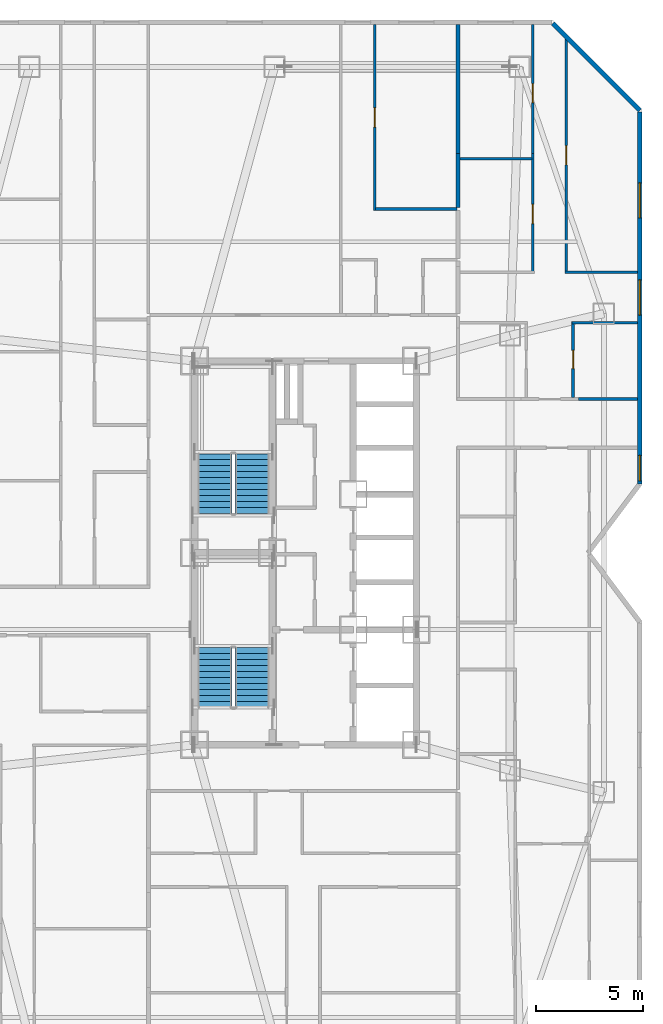
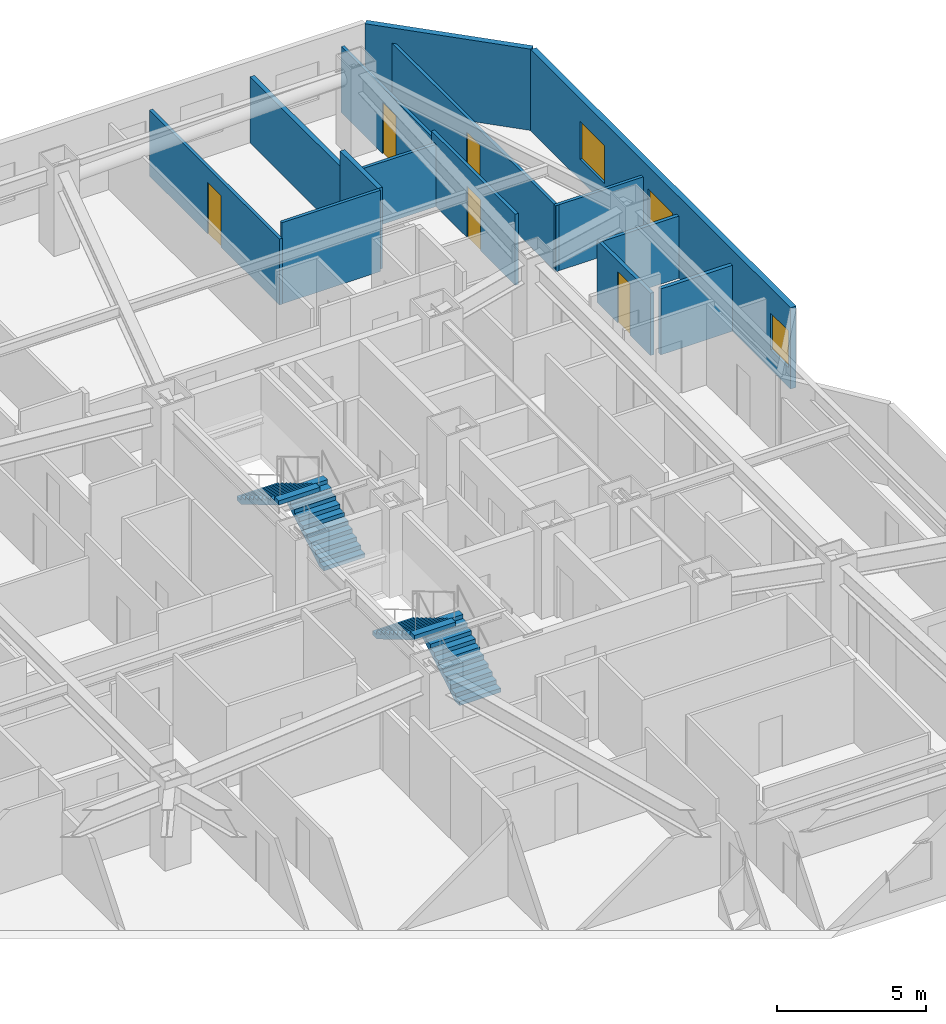
# One storey, part 17 of 18: 14 walls, 5 doors, 4 stair flights, 3 windows, 8 openings, 2 elements without a shape of their own.
"""IFC4 building model written with IfcOpenShell, lengths in metres."""

import ifcopenshell
import ifcopenshell.guid

model = None  # the IFC model being written
_history = None  # IfcOwnerHistory: only IFC2X3 demands one
_inside = {}  # id of a spatial element -> (the spatial element, [elements in it])
_under = {}  # id of a project, library or spatial element -> (it, [spatial elements below it])
_declared = {}  # id of a project -> (the project, [libraries it declares])
_typed = {}  # id of a type object -> (the type object, [elements of that type])
_made_of = {}  # id of a material, layer set ... -> (it, [elements and type objects made of it])


def new_model(schema):
    """Start an empty IFC model of exactly this schema.

    Asked for "IFC4X3", IfcOpenShell would pick the latest addendum, in which some entities
    have other attributes; the version numbers below select the first issue.
    IFC2X3 requires an IfcOwnerHistory on every rooted entity: one is made here for all.
    """
    global model, _history
    if schema == "IFC4X3":
        model = ifcopenshell.file(schema_version=(4, 3, 0, 0))
    else:
        model = ifcopenshell.file(schema=schema)
    _inside.clear()
    _under.clear()
    _declared.clear()
    _typed.clear()
    _made_of.clear()
    _history = None
    if model.schema == "IFC2X3":
        org = make("IfcOrganization", Name="unknown")
        user = make(
            "IfcPersonAndOrganization",
            ThePerson=make("IfcPerson", FamilyName="unknown"),
            TheOrganization=org,
        )
        app = make(
            "IfcApplication",
            ApplicationDeveloper=org,
            Version="unknown",
            ApplicationFullName="unknown",
            ApplicationIdentifier="unknown",
        )
        _history = make(
            "IfcOwnerHistory",
            OwningUser=user,
            OwningApplication=app,
            ChangeAction="ADDED",
            CreationDate=0,
        )
    return model


def make(cls, **values):
    """One entity of the class cls with the attributes given. An attribute that is None is left unset."""
    return model.create_entity(
        cls, **{name: value for name, value in values.items() if value is not None}
    )


def rooted(cls, **values):
    """An entity with a GlobalId (a new one), such as an element, a storey or a relation."""
    return make(cls, GlobalId=ifcopenshell.guid.new(), OwnerHistory=_history, **values)


def si_unit(unit_type, name, prefix=None):
    """IfcSIUnit, for example si_unit("LENGTHUNIT", "METRE", prefix="MILLI")."""
    return make("IfcSIUnit", UnitType=unit_type, Prefix=prefix, Name=name)


def assignment(units):
    """IfcUnitAssignment: the units of a project."""
    return None if units is None else make("IfcUnitAssignment", Units=units)


def point(xyz):
    """IfcCartesianPoint."""
    return None if xyz is None else make("IfcCartesianPoint", Coordinates=xyz)


def direction(xyz):
    """IfcDirection."""
    return None if xyz is None else make("IfcDirection", DirectionRatios=xyz)


def frame(location, z_axis=None, x_axis=None):
    """IfcAxis2Placement3D, a coordinate frame: its origin and axes. An axis left out is left unset."""
    return make(
        "IfcAxis2Placement3D",
        Location=point(location),
        Axis=direction(z_axis),
        RefDirection=direction(x_axis),
    )


def frame_2d(location, x_axis=None):
    """IfcAxis2Placement2D, a coordinate frame in the plane: its origin and x axis."""
    return make(
        "IfcAxis2Placement2D", Location=point(location), RefDirection=direction(x_axis)
    )


def origin():
    """The frame at (0, 0, 0) with its axes left unset."""
    return frame((0.0, 0.0, 0.0))


def place(relative_to, where):
    """IfcLocalPlacement: puts the frame where relative to a parent placement (None: the world)."""
    return make(
        "IfcLocalPlacement", PlacementRelTo=relative_to, RelativePlacement=where
    )


def context(
    kind, dimensions, precision=None, world=None, true_north=None, identifier=None
):
    """IfcGeometricRepresentationContext, for example the 3D "Model" context."""
    return make(
        "IfcGeometricRepresentationContext",
        ContextIdentifier=identifier,
        ContextType=kind,
        CoordinateSpaceDimension=dimensions,
        Precision=precision,
        WorldCoordinateSystem=world,
        TrueNorth=true_north,
    )


def subcontext(parent, identifier, kind, view, scale=None):
    """IfcGeometricRepresentationSubContext, for example "Body" below "Model"."""
    return make(
        "IfcGeometricRepresentationSubContext",
        ContextIdentifier=identifier,
        ContextType=kind,
        ParentContext=parent,
        TargetScale=scale,
        TargetView=view,
    )


def project(units=None, contexts=None):
    """IfcProject with its units and contexts."""
    return rooted(
        "IfcProject",
        Name="project",
        RepresentationContexts=contexts,
        UnitsInContext=assignment(units),
    )


def spatial(cls, under=None, at=None, **own):
    """A site, building, storey or space (cls), placed at a placement, below another one or the project."""
    s = rooted(cls, ObjectPlacement=at, **own)
    if under is not None:
        _under.setdefault(under.id(), (under, []))[1].append(s)
    return s


def polyline(points):
    """IfcPolyline through the points."""
    return make("IfcPolyline", Points=[point(p) for p in points])


def profile(cls, at=None, kind="AREA", **sizes):
    """A parametric profile (cls). Its sizes go by their IFC names, for example OverallWidth=200.0."""
    return make(cls, ProfileType=kind, Position=at, **sizes)


def rectangle(**sizes):
    """IfcRectangleProfileDef."""
    return profile("IfcRectangleProfileDef", **sizes)


def outline(outer, holes=None, kind="AREA"):
    """IfcArbitraryClosedProfileDef: a profile drawn as a closed curve; with holes, ...WithVoids."""
    if holes is None:
        return make("IfcArbitraryClosedProfileDef", ProfileType=kind, OuterCurve=outer)
    return make(
        "IfcArbitraryProfileDefWithVoids",
        ProfileType=kind,
        OuterCurve=outer,
        InnerCurves=holes,
    )


def extrude(swept, where, along, depth):
    """IfcExtrudedAreaSolid: the profile swept, set in the frame where, extruded along a direction by depth."""
    return make(
        "IfcExtrudedAreaSolid",
        SweptArea=swept,
        Position=where,
        ExtrudedDirection=direction(along),
        Depth=depth,
    )


def shape(context_of_items, identifier, shape_type, items):
    """IfcShapeRepresentation: the items that make up one representation, for example the "Body"."""
    return make(
        "IfcShapeRepresentation",
        ContextOfItems=context_of_items,
        RepresentationIdentifier=identifier,
        RepresentationType=shape_type,
        Items=items,
    )


def material(Name=None, Category=None):
    """IfcMaterial."""
    return make("IfcMaterial", Name=Name, Category=Category)


def layer(
    of_material, thickness, ventilated=None, Name=None, Category=None, Priority=None
):
    """IfcMaterialLayer: one layer of a wall or slab, of a material (None: an air gap)."""
    return make(
        "IfcMaterialLayer",
        Material=of_material,
        LayerThickness=thickness,
        IsVentilated=ventilated,
        Name=Name,
        Category=Category,
        Priority=Priority,
    )


def layer_set(layers, Name=None):
    """IfcMaterialLayerSet."""
    return make("IfcMaterialLayerSet", MaterialLayers=layers, LayerSetName=Name)


def made_of(thing, what):
    """Note that an element or type object is made of a material, layer set ...; save() writes the relation."""
    if what is not None:
        _made_of.setdefault(what.id(), (what, []))[1].append(thing)
    return thing


def type_object(cls, material=None, **own):
    """A type object (cls), such as IfcWallType, which elements share."""
    return made_of(rooted(cls, **own), material)


def element(
    cls,
    number,
    at=None,
    inside=None,
    cuts=None,
    type_object=None,
    material=None,
    context=None,
    identifier="Body",
    shape_type=None,
    held_by="IfcProductDefinitionShape",
    body=None,
    shapes=None,
    **own,
):
    """One element of the class cls, such as IfcWall. Its Tag is "e" and its number.

    at: its placement. inside: the storey or other place that contains it. cuts: it is an
    opening in that element (IfcRelVoidsElement). A single representation is given by context,
    identifier, shape_type and body (its items); several are given by shapes. held_by: the class
    of the entity that holds the representations. save() writes the other relations.
    """
    e = rooted(cls, Tag="e%d" % number, ObjectPlacement=at, **own)
    if body is not None:
        shapes = [shape(context, identifier, shape_type, body)]
    if shapes is not None:
        e.Representation = make(held_by, Representations=shapes)
    if inside is not None:
        _inside.setdefault(inside.id(), (inside, []))[1].append(e)
    if cuts is not None:
        rooted(
            "IfcRelVoidsElement", RelatingBuildingElement=cuts, RelatedOpeningElement=e
        )
    if type_object is not None:
        _typed.setdefault(type_object.id(), (type_object, []))[1].append(e)
    return made_of(e, material)


def fill(opening, filler):
    """IfcRelFillsElement: the door or window that sits in an opening."""
    return rooted(
        "IfcRelFillsElement",
        RelatingOpeningElement=opening,
        RelatedBuildingElement=filler,
    )


def aggregate(whole, parts):
    """IfcRelAggregates: a whole, such as a stair, and the parts it consists of."""
    return rooted("IfcRelAggregates", RelatingObject=whole, RelatedObjects=parts)


def save(model, path):
    """Write the relations noted so far, then the file.

    IfcRelAggregates (storeys below a building ...), IfcRelContainedInSpatialStructure (elements
    in a storey), IfcRelDefinesByType, IfcRelAssociatesMaterial and IfcRelDeclares: one each for
    every whole, place, type object, material and project.
    """
    for whole, parts in _under.values():
        aggregate(whole, parts)
    for where, things in _inside.values():
        rooted(
            "IfcRelContainedInSpatialStructure",
            RelatedElements=things,
            RelatingStructure=where,
        )
    for kind, things in _typed.values():
        rooted("IfcRelDefinesByType", RelatedObjects=things, RelatingType=kind)
    for what, things in _made_of.values():
        rooted("IfcRelAssociatesMaterial", RelatedObjects=things, RelatingMaterial=what)
    for by, libraries in _declared.values():
        rooted("IfcRelDeclares", RelatingContext=by, RelatedDefinitions=libraries)
    model.write(path)


model = new_model("IFC4")

# Units and contexts
model_context = context("Model", 3, precision=1e-05, world=origin(), true_north=direction((0.0, 1.0)))
body_context = subcontext(model_context, "Body", "Model", "MODEL_VIEW")
ifc_project = project(units=[si_unit("LENGTHUNIT", "METRE"), si_unit("AREAUNIT", "SQUARE_METRE"), si_unit("VOLUMEUNIT", "CUBIC_METRE"), si_unit("PLANEANGLEUNIT", "RADIAN"), si_unit("MASSUNIT", "GRAM", prefix="KILO")], contexts=[model_context])

# Site, building, storey
site_placement = place(None, origin())
site = spatial("IfcSite", under=ifc_project, at=site_placement, CompositionType="ELEMENT")
building_placement = place(site_placement, origin())
building = spatial("IfcBuilding", under=site, at=building_placement, Name="Khamvora Tower", CompositionType="ELEMENT")
storey_placement = place(building_placement, frame((0.0, 0.0, 80.75)))
storey = spatial("IfcBuildingStorey", under=building, at=storey_placement, Name="L20", CompositionType="ELEMENT", Elevation=80.75)

# Walls
ifc_material_1 = material(Name="Fire-Rated Drywall and Steel Stud", Category="steel")
ifc_layer_1 = layer(ifc_material_1, 0.14990234375)
ifc_layer_set_1 = layer_set([ifc_layer_1], Name="Fire-Rated Drywall and Steel Stud")
wall_type_1 = type_object("IfcWallType", Name="WAL-CORR-150", PredefinedType="STANDARD", material=ifc_layer_set_1)
wall_1_placement = place(storey_placement, frame((47.009033203125, 35.215087890625, 0.0), z_axis=(0.0, 0.0, 1.0), x_axis=(1.0, 0.0, 0.0)))
element("IfcWall", 1, at=wall_1_placement, inside=storey, type_object=wall_type_1, Name="L20 interior partition wall 044", PredefinedType="STANDARD", context=body_context, shape_type="SweptSolid", body=[
    extrude(rectangle(XDim=2.779052734375, YDim=0.14990234375, at=frame_2d((1.3896484375, 0.0))), origin(), (0.0, 0.0, 1.0), 2.702880859375),
])
ifc_material_2 = material(Name="Acoustic Double-Stud Fire Wall", Category="gypsum")
ifc_layer_2 = layer(ifc_material_2, 0.179931640625)
ifc_layer_set_2 = layer_set([ifc_layer_2], Name="Acoustic Double-Stud Fire Wall")
wall_type_2 = type_object("IfcWallType", Name="WAL-CORR-180", PredefinedType="STANDARD", material=ifc_layer_set_2)
wall_2_placement = place(storey_placement, frame((41.364990234375, 46.737060546875, 0.0), z_axis=(0.0, 0.0, 1.0), x_axis=(0.0, -1.0, 0.0)))
element("IfcWall", 2, at=wall_2_placement, inside=storey, type_object=wall_type_2, Name="L20 interior partition wall 144", PredefinedType="STANDARD", context=body_context, shape_type="SweptSolid", body=[
    extrude(rectangle(XDim=2.5380859375, YDim=0.179931640625, at=frame_2d((1.26904296875, 0.0))), origin(), (0.0, 0.0, 1.0), 3.330078125),
])
wall_3_placement = place(storey_placement, frame((41.364990234375, 52.7880859375, 0.0), z_axis=(0.0, 0.0, 1.0), x_axis=(0.0, -1.0, 0.0)))
element("IfcWall", 3, at=wall_3_placement, inside=storey, type_object=wall_type_2, Name="L20 interior partition wall 145", PredefinedType="STANDARD", context=body_context, shape_type="SweptSolid", body=[
    extrude(rectangle(XDim=6.051025390625, YDim=0.179931640625, at=frame_2d((3.025390625, 0.0))), origin(), (0.0, 0.0, 1.0), 2.702880859375),
])
ifc_material_3 = material(Name="Precast concrete C40/50", Category="concrete")
ifc_layer_3 = layer(ifc_material_3, 0.219970703125)
ifc_layer_set_3 = layer_set([ifc_layer_3], Name="Precast concrete C40/50")
wall_type_3 = type_object("IfcWallType", Name="WAL-EXT-220", PredefinedType="STANDARD", material=ifc_layer_set_3)
wall_4_placement = place(storey_placement, frame((45.802001953125, 52.842041015625, 0.0), z_axis=(0.0, 0.0, 1.0), x_axis=(0.707085666273, -0.70712789547, 0.0)))
element("IfcWall", 4, at=wall_4_placement, inside=storey, type_object=wall_type_3, Name="L20 exterior facade wall 08.1", PredefinedType="STANDARD", context=body_context, shape_type="SweptSolid", body=[
    extrude(rectangle(XDim=5.78125, YDim=0.219970703125, at=frame_2d((2.890625, 0.0))), origin(), (0.0, 0.0, 1.0), 3.330078125),
])

# Wall, openings, windows
wall_5_placement = place(storey_placement, frame((49.889892578125, 48.68310546875, 0.0), z_axis=(0.0, 0.0, 1.0), x_axis=(0.0, -1.0, 0.0)))
wall_5 = element("IfcWall", 5, at=wall_5_placement, inside=storey, type_object=wall_type_3, Name="L20 exterior facade wall 09.1", PredefinedType="STANDARD", context=body_context, shape_type="SweptSolid", body=[
    extrude(rectangle(XDim=17.446044921875, YDim=0.219970703125, at=frame_2d((8.72314453125, 0.0))), origin(), (0.0, 0.0, 1.0), 3.330078125),
])
opening_1_placement = place(wall_5_placement, frame((16.10498046875, 0.0, 0.800048828125)))
opening_1 = element("IfcOpeningElement", 6, at=opening_1_placement, cuts=wall_5, Name="Opening WN-03", PredefinedType="OPENING", context=body_context, shape_type="SweptSolid", body=[
    extrude(rectangle(XDim=1.199951171875, YDim=1.5, at=frame_2d((0.60009765625, 0.75))), frame((0.0, 0.119873046875, 0.0), z_axis=(0.0, -1.0, 0.0), x_axis=(1.0, 0.0, 0.0)), (0.0, 0.0, 1.0), 0.239990234375),
])
opening_2_placement = place(wall_5_placement, frame((7.873046875, 0.0, 0.85009765625)))
opening_2 = element("IfcOpeningElement", 7, at=opening_2_placement, cuts=wall_5, Name="Opening WN-06", PredefinedType="OPENING", context=body_context, shape_type="SweptSolid", body=[
    extrude(rectangle(XDim=1.64990234375, YDim=1.550048828125, at=frame_2d((0.824951171875, 0.77490234375))), frame((0.0, 0.119873046875, 0.0), z_axis=(0.0, -1.0, 0.0), x_axis=(1.0, 0.0, 0.0)), (0.0, 0.0, 1.0), 0.239990234375),
])
opening_3_placement = place(wall_5_placement, frame((3.321044921875, 0.0, 0.85009765625)))
opening_3 = element("IfcOpeningElement", 8, at=opening_3_placement, cuts=wall_5, Name="Opening WN-06", PredefinedType="OPENING", context=body_context, shape_type="SweptSolid", body=[
    extrude(rectangle(XDim=1.64990234375, YDim=1.550048828125, at=frame_2d((0.824951171875, 0.77490234375))), frame((0.0, 0.119873046875, 0.0), z_axis=(0.0, -1.0, 0.0), x_axis=(1.0, 0.0, 0.0)), (0.0, 0.0, 1.0), 0.239990234375),
])
ifc_material_4 = material(Name="Low-E Laminated Double Glazing", Category="glass")
window_type_1 = type_object("IfcWindowType", Name="WIN-VIS-1200x1500", PartitioningType="SINGLE_PANEL", PredefinedType="WINDOW", material=ifc_material_4)
window_1_placement = place(opening_1_placement, origin())
window_1 = element("IfcWindow", 9, at=window_1_placement, inside=storey, type_object=window_type_1, Name="L20 vision window 09.1.01", OverallHeight=1.5, OverallWidth=1.199951171875, PartitioningType="SINGLE_PANEL", PredefinedType="WINDOW", context=body_context, shape_type="SweptSolid", body=[
    extrude(rectangle(XDim=1.199951171875, YDim=1.5, at=frame_2d((0.60009765625, 0.75))), frame((0.0, 0.030029296875, 0.0), z_axis=(0.0, -1.0, 0.0), x_axis=(1.0, 0.0, 0.0)), (0.0, 0.0, 1.0), 0.06005859375),
])
fill(opening_1, window_1)
window_type_2 = type_object("IfcWindowType", Name="WIN-VIS-1650x1550", PartitioningType="SINGLE_PANEL", PredefinedType="WINDOW", material=ifc_material_4)
window_2_placement = place(opening_2_placement, origin())
window_2 = element("IfcWindow", 10, at=window_2_placement, inside=storey, type_object=window_type_2, Name="L20 vision window 09.1.02", OverallHeight=1.550048828125, OverallWidth=1.64990234375, PartitioningType="SINGLE_PANEL", PredefinedType="WINDOW", context=body_context, shape_type="SweptSolid", body=[
    extrude(rectangle(XDim=1.64990234375, YDim=1.550048828125, at=frame_2d((0.824951171875, 0.77490234375))), frame((0.0, 0.030029296875, 0.0), z_axis=(0.0, -1.0, 0.0), x_axis=(1.0, 0.0, 0.0)), (0.0, 0.0, 1.0), 0.06005859375),
])
fill(opening_2, window_2)
window_3_placement = place(opening_3_placement, origin())
window_3 = element("IfcWindow", 11, at=window_3_placement, inside=storey, type_object=window_type_2, Name="L20 vision window 09.1.03", OverallHeight=1.550048828125, OverallWidth=1.64990234375, PartitioningType="SINGLE_PANEL", PredefinedType="WINDOW", context=body_context, shape_type="SweptSolid", body=[
    extrude(rectangle(XDim=1.64990234375, YDim=1.550048828125, at=frame_2d((0.824951171875, 0.77490234375))), frame((0.0, 0.030029296875, 0.0), z_axis=(0.0, -1.0, 0.0), x_axis=(1.0, 0.0, 0.0)), (0.0, 0.0, 1.0), 0.06005859375),
])
fill(opening_3, window_3)

# Wall, opening, door
ifc_material_5 = material(Name="Gypsum Plasterboard Partition", Category="gypsum")
ifc_layer_4 = layer(ifc_material_5, 0.1201171875)
ifc_layer_set_4 = layer_set([ifc_layer_4], Name="Gypsum Plasterboard Partition")
wall_type_4 = type_object("IfcWallType", Name="WAL-PART-120", PredefinedType="PARTITIONING", material=ifc_layer_set_4)
wall_6_placement = place(storey_placement, frame((37.445068359375, 52.7880859375, 0.0), z_axis=(0.0, 0.0, 1.0), x_axis=(0.0, -1.0, 0.0)))
wall_6 = element("IfcWall", 12, at=wall_6_placement, inside=storey, type_object=wall_type_4, Name="L20 interior partition wall 139", PredefinedType="PARTITIONING", context=body_context, shape_type="SweptSolid", body=[
    extrude(rectangle(XDim=8.718994140625, YDim=0.1201171875, at=frame_2d((4.359375, 0.0))), origin(), (0.0, 0.0, 1.0), 2.702880859375),
])
opening_4_placement = place(wall_6_placement, frame((3.908935546875, 0.0, 0.0)))
opening_4 = element("IfcOpeningElement", 13, at=opening_4_placement, cuts=wall_6, Name="Opening D-RM1", PredefinedType="OPENING", context=body_context, shape_type="SweptSolid", body=[
    extrude(rectangle(XDim=0.89990234375, YDim=2.10009765625, at=frame_2d((0.449951171875, 1.050048828125))), frame((0.0, 0.070068359375, 0.0), z_axis=(0.0, -1.0, 0.0), x_axis=(1.0, 0.0, 0.0)), (0.0, 0.0, 1.0), 0.14013671875),
])
ifc_material_6 = material(Name="Powder-Coated Steel and Hardwood Leaf", Category="steel")
door_type_1 = type_object("IfcDoorType", Name="DOR-ROOM-900", OperationType="NOTDEFINED", PredefinedType="DOOR", material=ifc_material_6)
door_1_placement = place(opening_4_placement, origin())
door_1 = element("IfcDoor", 14, at=door_1_placement, inside=storey, type_object=door_type_1, Name="L20 interior door 20NAH-20NAR1", OperationType="SINGLE_SWING_LEFT", OverallHeight=2.10009765625, OverallWidth=0.89990234375, PredefinedType="DOOR", context=body_context, shape_type="SweptSolid", body=[
    extrude(rectangle(XDim=0.89990234375, YDim=2.10009765625, at=frame_2d((0.449951171875, 1.050048828125))), frame((0.0, 0.02490234375, 0.0), z_axis=(0.0, -1.0, 0.0), x_axis=(1.0, 0.0, 0.0)), (0.0, 0.0, 1.0), 0.050048828125),
])
fill(opening_4, door_1)

# Wall
wall_7_placement = place(storey_placement, frame((37.4990234375, 44.134033203125, 0.0), z_axis=(0.0, 0.0, 1.0), x_axis=(1.0, 0.0, 0.0)))
element("IfcWall", 15, at=wall_7_placement, inside=storey, type_object=wall_type_4, Name="L20 interior partition wall 140", PredefinedType="PARTITIONING", context=body_context, shape_type="SweptSolid", body=[
    extrude(rectangle(XDim=3.801025390625, YDim=0.1201171875, at=frame_2d((1.900390625, 0.0))), origin(), (0.0, 0.0, 1.0), 3.330078125),
])

# Wall, opening, door
wall_8_placement = place(storey_placement, frame((44.875, 41.110107421875, 0.0), z_axis=(0.0, 0.0, 1.0), x_axis=(0.0, 1.0, 0.0)))
wall_8 = element("IfcWall", 16, at=wall_8_placement, inside=storey, type_object=wall_type_4, Name="L20 interior partition wall 167", PredefinedType="PARTITIONING", context=body_context, shape_type="SweptSolid", body=[
    extrude(rectangle(XDim=5.626953125, YDim=0.1201171875, at=frame_2d((2.8134765625, 0.0))), origin(), (0.0, 0.0, 1.0), 2.9130859375),
])
opening_5_placement = place(wall_8_placement, frame((2.342041015625, 0.0, 0.0)))
opening_5 = element("IfcOpeningElement", 17, at=opening_5_placement, cuts=wall_8, Name="Opening D-RM1", PredefinedType="OPENING", context=body_context, shape_type="SweptSolid", body=[
    extrude(rectangle(XDim=0.89990234375, YDim=2.10009765625, at=frame_2d((0.449951171875, 1.050048828125))), frame((0.0, 0.070068359375, 0.0), z_axis=(0.0, -1.0, 0.0), x_axis=(1.0, 0.0, 0.0)), (0.0, 0.0, 1.0), 0.14013671875),
])
door_2_placement = place(opening_5_placement, origin())
door_2 = element("IfcDoor", 18, at=door_2_placement, inside=storey, type_object=door_type_1, Name="L20 interior door 20ECH-20ECL", OperationType="SINGLE_SWING_LEFT", OverallHeight=2.10009765625, OverallWidth=0.89990234375, PredefinedType="DOOR", context=body_context, shape_type="SweptSolid", body=[
    extrude(rectangle(XDim=0.89990234375, YDim=2.10009765625, at=frame_2d((0.449951171875, 1.050048828125))), frame((0.0, 0.02490234375, 0.0), z_axis=(0.0, -1.0, 0.0), x_axis=(1.0, 0.0, 0.0)), (0.0, 0.0, 1.0), 0.050048828125),
])
fill(opening_5, door_2)

wall_9_placement = place(storey_placement, frame((44.875, 46.737060546875, 0.0), z_axis=(0.0, 0.0, 1.0), x_axis=(0.0, 1.0, 0.0)))
wall_9 = element("IfcWall", 19, at=wall_9_placement, inside=storey, type_object=wall_type_4, Name="L20 interior partition wall 168", PredefinedType="PARTITIONING", context=body_context, shape_type="SweptSolid", body=[
    extrude(rectangle(XDim=6.051025390625, YDim=0.1201171875, at=frame_2d((3.025390625, 0.0))), origin(), (0.0, 0.0, 1.0), 2.702880859375),
])
opening_6_placement = place(wall_9_placement, frame((2.383056640625, 0.0, 0.0)))
opening_6 = element("IfcOpeningElement", 20, at=opening_6_placement, cuts=wall_9, Name="Opening D-RM1", PredefinedType="OPENING", context=body_context, shape_type="SweptSolid", body=[
    extrude(rectangle(XDim=0.89990234375, YDim=2.10009765625, at=frame_2d((0.449951171875, 1.050048828125))), frame((0.0, 0.070068359375, 0.0), z_axis=(0.0, -1.0, 0.0), x_axis=(1.0, 0.0, 0.0)), (0.0, 0.0, 1.0), 0.14013671875),
])
door_3_placement = place(opening_6_placement, origin())
door_3 = element("IfcDoor", 21, at=door_3_placement, inside=storey, type_object=door_type_1, Name="L20 interior door 20ECH-20ECR2", OperationType="SINGLE_SWING_LEFT", OverallHeight=2.10009765625, OverallWidth=0.89990234375, PredefinedType="DOOR", context=body_context, shape_type="SweptSolid", body=[
    extrude(rectangle(XDim=0.89990234375, YDim=2.10009765625, at=frame_2d((0.449951171875, 1.050048828125))), frame((0.0, 0.02490234375, 0.0), z_axis=(0.0, -1.0, 0.0), x_axis=(1.0, 0.0, 0.0)), (0.0, 0.0, 1.0), 0.050048828125),
])
fill(opening_6, door_3)

# Wall
wall_10_placement = place(storey_placement, frame((46.3798828125, 41.175048828125, 0.0), z_axis=(0.0, 0.0, 1.0), x_axis=(1.0, 0.0, 0.0)))
element("IfcWall", 22, at=wall_10_placement, inside=storey, type_object=wall_type_4, Name="L20 interior partition wall 169", PredefinedType="PARTITIONING", context=body_context, shape_type="SweptSolid", body=[
    extrude(rectangle(XDim=3.408203125, YDim=0.1201171875, at=frame_2d((1.7041015625, 0.0))), origin(), (0.0, 0.0, 1.0), 2.702880859375),
])

# Wall, opening, door
wall_11_placement = place(storey_placement, frame((46.445068359375, 52.2080078125, 0.0), z_axis=(0.0, 0.0, 1.0), x_axis=(0.0, -1.0, 0.0)))
wall_11 = element("IfcWall", 23, at=wall_11_placement, inside=storey, type_object=wall_type_4, Name="L20 interior partition wall 170", PredefinedType="PARTITIONING", context=body_context, shape_type="SweptSolid", body=[
    extrude(rectangle(XDim=11.097900390625, YDim=0.1201171875, at=frame_2d((5.548828125, 0.0))), origin(), (0.0, 0.0, 1.0), 2.702880859375),
])
opening_7_placement = place(wall_11_placement, frame((5.09912109375, 0.0, 0.0)))
opening_7 = element("IfcOpeningElement", 24, at=opening_7_placement, cuts=wall_11, Name="Opening D-RM1", PredefinedType="OPENING", context=body_context, shape_type="SweptSolid", body=[
    extrude(rectangle(XDim=0.89990234375, YDim=2.10009765625, at=frame_2d((0.449951171875, 1.050048828125))), frame((0.0, 0.070068359375, 0.0), z_axis=(0.0, -1.0, 0.0), x_axis=(1.0, 0.0, 0.0)), (0.0, 0.0, 1.0), 0.14013671875),
])
door_4_placement = place(opening_7_placement, origin())
door_4 = element("IfcDoor", 25, at=door_4_placement, inside=storey, type_object=door_type_1, Name="L20 interior door 20ECH-20ECR3", OperationType="SINGLE_SWING_RIGHT", OverallHeight=2.10009765625, OverallWidth=0.89990234375, PredefinedType="DOOR", context=body_context, shape_type="SweptSolid", body=[
    extrude(rectangle(XDim=0.89990234375, YDim=2.10009765625, at=frame_2d((0.449951171875, 1.050048828125))), frame((0.0, 0.02490234375, 0.0), z_axis=(0.0, -1.0, 0.0), x_axis=(1.0, 0.0, 0.0)), (0.0, 0.0, 1.0), 0.050048828125),
])
fill(opening_7, door_4)

# Walls
wall_12_placement = place(storey_placement, frame((41.447021484375, 46.488037109375, 0.0), z_axis=(0.0, 0.0, 1.0), x_axis=(1.0, 0.0, 0.0)))
element("IfcWall", 26, at=wall_12_placement, inside=storey, type_object=wall_type_4, Name="L20 interior partition wall 171", PredefinedType="PARTITIONING", context=body_context, shape_type="SweptSolid", body=[
    extrude(rectangle(XDim=3.3740234375, YDim=0.1201171875, at=frame_2d((1.68701171875, 0.0))), origin(), (0.0, 0.0, 1.0), 2.547119140625),
])
ifc_material_7 = material(Name="Moisture-Resistant Plasterboard Partition", Category="gypsum")
ifc_layer_5 = layer(ifc_material_7, 0.135009765625)
ifc_layer_set_5 = layer_set([ifc_layer_5], Name="Moisture-Resistant Plasterboard Partition")
wall_type_5 = type_object("IfcWallType", Name="WAL-WET-135", PredefinedType="PARTITIONING", material=ifc_layer_set_5)
wall_13_placement = place(storey_placement, frame((49.7880859375, 38.794921875, 0.0), z_axis=(0.0, 0.0, 1.0), x_axis=(-1.0, 0.0, 0.0)))
element("IfcWall", 27, at=wall_13_placement, inside=storey, type_object=wall_type_5, Name="L20 interior partition wall 164", PredefinedType="PARTITIONING", context=body_context, shape_type="SweptSolid", body=[
    extrude(rectangle(XDim=3.093017578125, YDim=0.135009765625, at=frame_2d((1.54638671875, 0.0))), origin(), (0.0, 0.0, 1.0), 2.547119140625),
])

# Wall, opening, door
wall_14_placement = place(storey_placement, frame((46.760009765625, 38.860107421875, 0.0), z_axis=(0.0, 0.0, 1.0), x_axis=(0.0, -1.0, 0.0)))
wall_14 = element("IfcWall", 28, at=wall_14_placement, inside=storey, type_object=wall_type_5, Name="L20 interior partition wall 165", PredefinedType="PARTITIONING", context=body_context, shape_type="SweptSolid", body=[
    extrude(rectangle(XDim=3.578125, YDim=0.135009765625, at=frame_2d((1.7890625, 0.0))), origin(), (0.0, 0.0, 1.0), 2.547119140625),
])
opening_8_placement = place(wall_14_placement, frame((1.364013671875, 0.0, 0.0)))
opening_8 = element("IfcOpeningElement", 29, at=opening_8_placement, cuts=wall_14, Name="Opening D-RM2", PredefinedType="OPENING", context=body_context, shape_type="SweptSolid", body=[
    extrude(rectangle(XDim=0.85009765625, YDim=2.10009765625, at=frame_2d((0.425048828125, 1.050048828125))), frame((0.0, 0.077392578125, 0.0), z_axis=(0.0, -1.0, 0.0), x_axis=(1.0, 0.0, 0.0)), (0.0, 0.0, 1.0), 0.155029296875),
])
door_type_2 = type_object("IfcDoorType", Name="DOR-ROOM-850", OperationType="NOTDEFINED", PredefinedType="DOOR", material=ifc_material_6)
door_5_placement = place(opening_8_placement, origin())
door_5 = element("IfcDoor", 30, at=door_5_placement, inside=storey, type_object=door_type_2, Name="L20 interior door 20ECH-20ECK", OperationType="SINGLE_SWING_RIGHT", OverallHeight=2.10009765625, OverallWidth=0.85009765625, PredefinedType="DOOR", context=body_context, shape_type="SweptSolid", body=[
    extrude(rectangle(XDim=0.85009765625, YDim=2.10009765625, at=frame_2d((0.425048828125, 1.050048828125))), frame((0.0, 0.02490234375, 0.0), z_axis=(0.0, -1.0, 0.0), x_axis=(1.0, 0.0, 0.0)), (0.0, 0.0, 1.0), 0.050048828125),
])
fill(opening_8, door_5)

# Stair, stair flights
ifc_material_8 = material(Name="Concrete C40/50", Category="concrete")
stair_type_1 = type_object("IfcStairType", Name="STR-ST-01", PredefinedType="HALF_TURN_STAIR", material=ifc_material_8)
stair_1_placement = place(storey_placement, origin())
stair_1 = element("IfcStair", 31, at=stair_1_placement, inside=storey, type_object=stair_type_1, Name="L20 South Tower Exit Stair ST-01", PredefinedType="HALF_TURN_STAIR")
stair_flight_type_1 = type_object("IfcStairFlightType", Name="STF-ST-01", PredefinedType="STRAIGHT", material=ifc_material_8)
stair_flight_1_placement = place(storey_placement, frame((31.699951171875, 20.75, 0.0), z_axis=(0.0, 0.0, 1.0), x_axis=(0.0, 1.0, 0.0)))
stair_flight_1 = element("IfcStairFlight", 32, at=stair_flight_1_placement, type_object=stair_flight_type_1, Name="ST-01 flight 1", NumberOfRisers=11, NumberOfTreads=10, PredefinedType="STRAIGHT", RiserHeight=0.165909091, TreadLength=0.28, context=body_context, shape_type="SweptSolid", body=[
    extrude(outline(polyline([(0.0, 0.0), (0.0, 0.166015625), (0.280029296875, 0.166015625), (0.280029296875, 0.331787109375), (0.56005859375, 0.331787109375), (0.56005859375, 0.497802734375), (0.840087890625, 0.497802734375), (0.840087890625, 0.66357421875), (1.1201171875, 0.66357421875), (1.1201171875, 0.82958984375), (1.39990234375, 0.82958984375), (1.39990234375, 0.995361328125), (1.679931640625, 0.995361328125), (1.679931640625, 1.161376953125), (1.9599609375, 1.161376953125), (1.9599609375, 1.327392578125), (2.239990234375, 1.327392578125), (2.239990234375, 1.4931640625), (2.52001953125, 1.4931640625), (2.52001953125, 1.6591796875), (2.800048828125, 1.6591796875), (2.800048828125, 1.824951171875), (2.800048828125, 1.48486328125), (0.2939453125, 0.0), (0.0, 0.0)])), frame((0.0, 0.800048828125, 0.0), z_axis=(0.0, -1.0, 0.0), x_axis=(1.0, 0.0, 0.0)), (0.0, 0.0, 1.0), 1.60009765625),
])
stair_flight_2_placement = place(storey_placement, frame((29.949951171875, 23.550048828125, 1.824951171875), z_axis=(0.0, 0.0, 1.0), x_axis=(0.0, -1.0, 0.0)))
stair_flight_2 = element("IfcStairFlight", 33, at=stair_flight_2_placement, type_object=stair_flight_type_1, Name="ST-01 flight 2", NumberOfRisers=11, NumberOfTreads=10, PredefinedType="STRAIGHT", RiserHeight=0.165909091, TreadLength=0.28, context=body_context, shape_type="SweptSolid", body=[
    extrude(outline(polyline([(0.0, 0.0), (0.0, 0.166015625), (0.280029296875, 0.166015625), (0.280029296875, 0.331787109375), (0.56005859375, 0.331787109375), (0.56005859375, 0.497802734375), (0.840087890625, 0.497802734375), (0.840087890625, 0.66357421875), (1.1201171875, 0.66357421875), (1.1201171875, 0.82958984375), (1.39990234375, 0.82958984375), (1.39990234375, 0.995361328125), (1.679931640625, 0.995361328125), (1.679931640625, 1.161376953125), (1.9599609375, 1.161376953125), (1.9599609375, 1.327392578125), (2.239990234375, 1.327392578125), (2.239990234375, 1.4931640625), (2.52001953125, 1.4931640625), (2.52001953125, 1.6591796875), (2.800048828125, 1.6591796875), (2.800048828125, 1.824951171875), (2.800048828125, 1.48486328125), (0.2939453125, 0.0), (0.0, 0.0)])), frame((0.0, 0.800048828125, 0.0), z_axis=(0.0, -1.0, 0.0), x_axis=(1.0, 0.0, 0.0)), (0.0, 0.0, 1.0), 1.60009765625),
])
aggregate(stair_1, [stair_flight_1, stair_flight_2])

stair_type_2 = type_object("IfcStairType", Name="STR-ST-02", PredefinedType="HALF_TURN_STAIR", material=ifc_material_8)
stair_2_placement = place(storey_placement, origin())
stair_2 = element("IfcStair", 34, at=stair_2_placement, inside=storey, type_object=stair_type_2, Name="L20 North Tower Exit Stair ST-02", PredefinedType="HALF_TURN_STAIR")
stair_flight_type_2 = type_object("IfcStairFlightType", Name="STF-ST-02", PredefinedType="STRAIGHT", material=ifc_material_8)
stair_flight_3_placement = place(storey_placement, frame((31.699951171875, 29.85009765625, 0.0), z_axis=(0.0, 0.0, 1.0), x_axis=(0.0, 1.0, 0.0)))
stair_flight_3 = element("IfcStairFlight", 35, at=stair_flight_3_placement, type_object=stair_flight_type_2, Name="ST-02 flight 1", NumberOfRisers=11, NumberOfTreads=10, PredefinedType="STRAIGHT", RiserHeight=0.165909091, TreadLength=0.28, context=body_context, shape_type="SweptSolid", body=[
    extrude(outline(polyline([(0.0, 0.0), (0.0, 0.166015625), (0.280029296875, 0.166015625), (0.280029296875, 0.331787109375), (0.56005859375, 0.331787109375), (0.56005859375, 0.497802734375), (0.840087890625, 0.497802734375), (0.840087890625, 0.66357421875), (1.1201171875, 0.66357421875), (1.1201171875, 0.82958984375), (1.39990234375, 0.82958984375), (1.39990234375, 0.995361328125), (1.679931640625, 0.995361328125), (1.679931640625, 1.161376953125), (1.9599609375, 1.161376953125), (1.9599609375, 1.327392578125), (2.239990234375, 1.327392578125), (2.239990234375, 1.4931640625), (2.52001953125, 1.4931640625), (2.52001953125, 1.6591796875), (2.800048828125, 1.6591796875), (2.800048828125, 1.824951171875), (2.800048828125, 1.48486328125), (0.2939453125, 0.0), (0.0, 0.0)])), frame((0.0, 0.800048828125, 0.0), z_axis=(0.0, -1.0, 0.0), x_axis=(1.0, 0.0, 0.0)), (0.0, 0.0, 1.0), 1.60009765625),
])
stair_flight_4_placement = place(storey_placement, frame((29.949951171875, 32.64990234375, 1.824951171875), z_axis=(0.0, 0.0, 1.0), x_axis=(0.0, -1.0, 0.0)))
stair_flight_4 = element("IfcStairFlight", 36, at=stair_flight_4_placement, type_object=stair_flight_type_2, Name="ST-02 flight 2", NumberOfRisers=11, NumberOfTreads=10, PredefinedType="STRAIGHT", RiserHeight=0.165909091, TreadLength=0.28, context=body_context, shape_type="SweptSolid", body=[
    extrude(outline(polyline([(0.0, 0.0), (0.0, 0.166015625), (0.280029296875, 0.166015625), (0.280029296875, 0.331787109375), (0.56005859375, 0.331787109375), (0.56005859375, 0.497802734375), (0.840087890625, 0.497802734375), (0.840087890625, 0.66357421875), (1.1201171875, 0.66357421875), (1.1201171875, 0.82958984375), (1.39990234375, 0.82958984375), (1.39990234375, 0.995361328125), (1.679931640625, 0.995361328125), (1.679931640625, 1.161376953125), (1.9599609375, 1.161376953125), (1.9599609375, 1.327392578125), (2.239990234375, 1.327392578125), (2.239990234375, 1.4931640625), (2.52001953125, 1.4931640625), (2.52001953125, 1.6591796875), (2.800048828125, 1.6591796875), (2.800048828125, 1.824951171875), (2.800048828125, 1.48486328125), (0.2939453125, 0.0), (0.0, 0.0)])), frame((0.0, 0.800048828125, 0.0), z_axis=(0.0, -1.0, 0.0), x_axis=(1.0, 0.0, 0.0)), (0.0, 0.0, 1.0), 1.60009765625),
])
aggregate(stair_2, [stair_flight_3, stair_flight_4])

save(model, "model.ifc")
